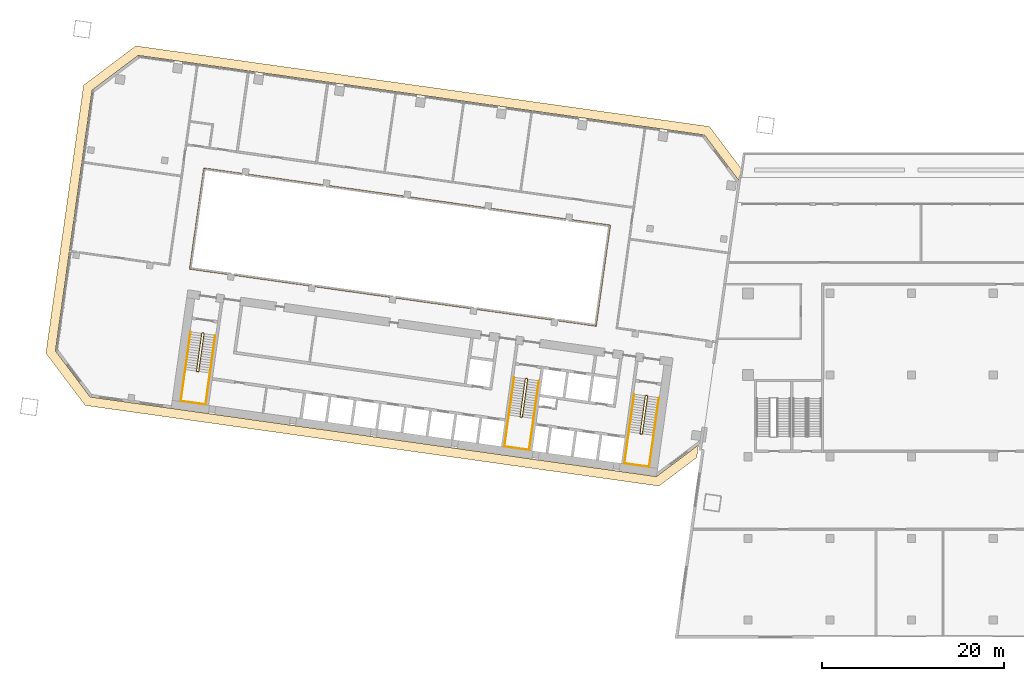
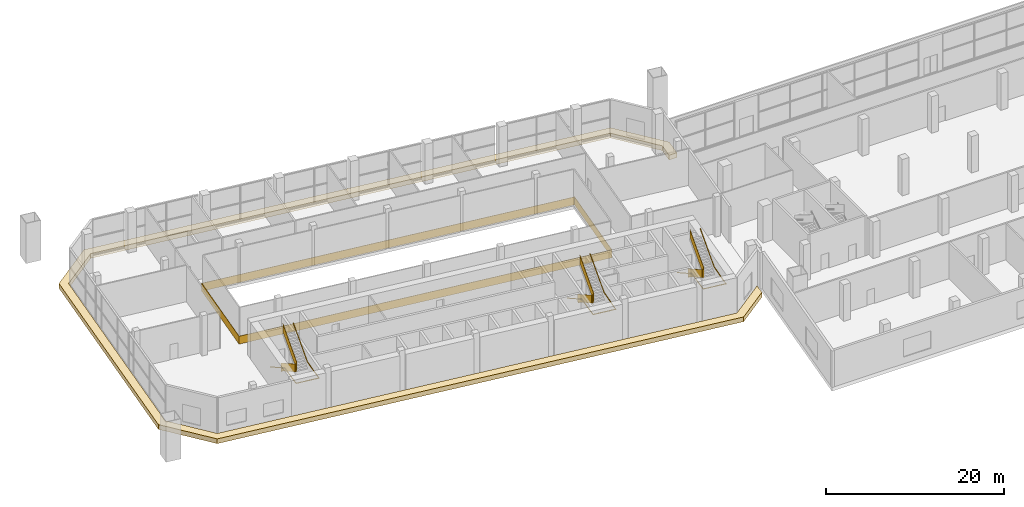
# One storey, part 20 of 23: 7 railings, 1 covering.
"""IFC4 building model written with IfcOpenShell, lengths in metres."""

from ifc_helpers import new_model, si_unit, direction, frame, origin, origin_2d, place, context, subcontext, project, spatial, polyline, rectangle, outline, extrude, material, layer, layer_set, type_object, element, save


model = new_model("IFC4")

# Units and contexts
model_context = context("Model", 3, precision=1e-05, world=origin(), true_north=direction((0.0, 1.0)))
body_context = subcontext(model_context, "Body", "Model", "MODEL_VIEW")
ifc_project = project(units=[si_unit("LENGTHUNIT", "METRE"), si_unit("AREAUNIT", "SQUARE_METRE"), si_unit("VOLUMEUNIT", "CUBIC_METRE"), si_unit("PLANEANGLEUNIT", "RADIAN"), si_unit("MASSUNIT", "GRAM", prefix="KILO")], contexts=[model_context])

# Site, building, storey
site_placement = place(None, origin())
site = spatial("IfcSite", under=ifc_project, at=site_placement, CompositionType="ELEMENT")
building_placement = place(site_placement, origin())
building = spatial("IfcBuilding", under=site, at=building_placement, Name="Mirante Cascada Hotel Towers", CompositionType="ELEMENT")
storey_placement = place(building_placement, frame((0.0, 0.0, 29.0)))
storey = spatial("IfcBuildingStorey", under=building, at=storey_placement, Name="L04", CompositionType="ELEMENT", Elevation=29.0)

# Railing
ifc_material_1 = material(Name="Painted steel", Category="steel")
railing_type_1 = type_object("IfcRailingType", Name="Atrium edge guard 1100 steel balustrade", PredefinedType="GUARDRAIL", material=ifc_material_1)
railing_1_placement = place(storey_placement, frame((-43.7567, -3.601, 0.0)))
element("IfcRailing", 1, at=railing_1_placement, inside=storey, type_object=railing_type_1, Name="Atrium guard T1 L04", PredefinedType="GUARDRAIL", context=body_context, shape_type="SweptSolid", body=[
    extrude(rectangle(XDim=0.048, YDim=0.048, at=origin_2d()), frame((0.0, 0.0, 1.076), z_axis=(-0.9902681, 0.1391726, 0.0), x_axis=(-0.1391726, -0.9902681, 0.0)), (0.0, 0.0, 1.0), 45.2),
    extrude(rectangle(XDim=0.02, YDim=1.052, at=origin_2d()), frame((0.0, 0.0, 0.526), z_axis=(-0.9902681, 0.1391726, 0.0), x_axis=(-0.1391726, -0.9902681, 0.0)), (0.0, 0.0, 1.0), 45.2),
    extrude(rectangle(XDim=0.048, YDim=0.048, at=origin_2d()), frame((-44.7601, 6.2906, 1.076), z_axis=(0.1391697, 0.9902685, 0.0), x_axis=(-0.9902685, 0.1391697, 0.0)), (0.0, 0.0, 1.0), 11.2),
    extrude(rectangle(XDim=0.02, YDim=1.052, at=origin_2d()), frame((-44.7601, 6.2906, 0.526), z_axis=(0.1391697, 0.9902685, 0.0), x_axis=(-0.9902685, 0.1391697, 0.0)), (0.0, 0.0, 1.0), 11.2),
    extrude(rectangle(XDim=0.048, YDim=0.048, at=origin_2d()), frame((-43.2014, 17.3816, 1.076), z_axis=(0.9902681, -0.1391726, 0.0), x_axis=(0.1391726, 0.9902681, 0.0)), (0.0, 0.0, 1.0), 45.2),
    extrude(rectangle(XDim=0.02, YDim=1.052, at=origin_2d()), frame((-43.2014, 17.3816, 0.526), z_axis=(0.9902681, -0.1391726, 0.0), x_axis=(0.1391726, 0.9902681, 0.0)), (0.0, 0.0, 1.0), 45.2),
    extrude(rectangle(XDim=0.048, YDim=0.048, at=origin_2d()), frame((1.5587, 11.091, 1.076), z_axis=(-0.1391697, -0.9902685, 0.0), x_axis=(0.9902685, -0.1391697, 0.0)), (0.0, 0.0, 1.0), 11.2),
    extrude(rectangle(XDim=0.02, YDim=1.052, at=origin_2d()), frame((1.5587, 11.091, 0.526), z_axis=(-0.1391697, -0.9902685, 0.0), x_axis=(0.9902685, -0.1391697, 0.0)), (0.0, 0.0, 1.0), 11.2),
])

# Covering
ifc_material_2 = material(Name="Precast concrete C40/50 white", Category="concrete")
ifc_layer = layer(ifc_material_2, 0.6)
ifc_layer_set = layer_set([ifc_layer], Name="Precast concrete SUNSHADE band 1000x600")
covering_type = type_object("IfcCoveringType", Name="Precast concrete SUNSHADE band 1000x600", PredefinedType="CLADDING", material=ifc_layer_set)
covering_placement = place(storey_placement, frame((0.0, 0.0, -0.5)))
element("IfcCovering", 2, at=covering_placement, inside=storey, type_object=covering_type, Name="Precast concrete SUNSHADE band T1 L04", PredefinedType="CLADDING", context=body_context, shape_type="SweptSolid", body=[
    extrude(outline(polyline([(-100.2139, 22.9287), (-94.4698, 27.2572), (-31.2626, 18.374), (-26.9341, 12.6299), (-27.2475, 10.4), (-28.2573, 10.4), (-27.982, 12.3589), (-31.8119, 17.4414), (-94.1988, 26.2093), (-99.2813, 22.3794), (-103.3173, -6.3384), (-99.4874, -11.4209), (-37.1005, -20.1888), (-32.4698, -16.6993), (-32.6666, -18.0998), (-36.8295, -21.2367), (-100.0367, -12.3535), (-104.3652, -6.6094), (-100.2139, 22.9287)])), origin(), (0.0, 0.0, 1.0), 0.65),
])

# Railings
ifc_material_3 = material(Name="Painted steel", Category="steel")
railing_type_2 = type_object("IfcRailingType", Name="Stair guard 1100 steel balustrade", PredefinedType="GUARDRAIL", material=ifc_material_3)
railing_2_placement = place(storey_placement, frame((-38.1178, -11.2603, 0.0)))
element("IfcRailing", 3, at=railing_2_placement, inside=storey, type_object=railing_type_2, Name="L04 ST1-A stair guard 1", PredefinedType="GUARDRAIL", context=body_context, shape_type="SweptSolid", body=[
    extrude(rectangle(XDim=0.048, YDim=0.048, at=origin_2d()), frame((0.0, 0.0, 1.076), z_axis=(-0.9903326, 0.1387133, 0.0), x_axis=(-0.1387133, -0.9903326, 0.0)), (0.0, 0.0, 1.0), 0.1499),
    extrude(rectangle(XDim=0.02, YDim=1.052, at=origin_2d()), frame((0.0, 0.0, 0.526), z_axis=(-0.9903326, 0.1387133, 0.0), x_axis=(-0.1387133, -0.9903326, 0.0)), (0.0, 0.0, 1.0), 0.1499),
    extrude(rectangle(XDim=0.048, YDim=0.048, at=origin_2d()), frame((-0.1485, 0.0208, 1.076), z_axis=(-0.7991505, -0.6011309, 0.0), x_axis=(0.6011309, -0.7991505, 0.0)), (0.0, 0.9248339, 0.3803713), 0.1859),
    extrude(rectangle(XDim=0.02, YDim=1.052, at=origin_2d()), frame((-0.1485, 0.0208, 0.526), z_axis=(-0.7991505, -0.6011309, 0.0), x_axis=(0.6011309, -0.7991505, 0.0)), (0.0, 0.9248339, 0.3803713), 0.1859),
    extrude(rectangle(XDim=0.048, YDim=0.048, at=origin_2d()), frame((-0.205, -0.0217, 1.2479), z_axis=(-0.1391676, -0.9902688, 0.0), x_axis=(0.9902688, -0.1391676, 0.0)), (0.0, 0.5231408, 0.8522463), 4.9281),
    extrude(rectangle(XDim=0.02, YDim=1.052, at=origin_2d()), frame((-0.205, -0.0217, 0.6979), z_axis=(-0.1391676, -0.9902688, 0.0), x_axis=(0.9902688, -0.1391676, 0.0)), (0.0, 0.5231408, 0.8522463), 4.9281),
    extrude(rectangle(XDim=0.048, YDim=0.048, at=origin_2d()), frame((-0.7895, -4.1808, 3.826), z_axis=(0.9268624, -0.3754011, 0.0), x_axis=(0.3754011, 0.9268624, 0.0)), (0.0, 0.0, 1.0), 0.2062),
    extrude(rectangle(XDim=0.02, YDim=1.052, at=origin_2d()), frame((-0.7895, -4.1808, 3.276), z_axis=(0.9268624, -0.3754011, 0.0), x_axis=(0.3754011, 0.9268624, 0.0)), (0.0, 0.0, 1.0), 0.2062),
    extrude(rectangle(XDim=0.048, YDim=0.048, at=origin_2d()), frame((-0.5984, -4.2582, 3.826), z_axis=(-0.9902537, 0.1392753, 0.0), x_axis=(-0.1392753, -0.9902537, 0.0)), (0.0, 0.0, 1.0), 0.1501),
    extrude(rectangle(XDim=0.02, YDim=1.052, at=origin_2d()), frame((-0.5984, -4.2582, 3.276), z_axis=(-0.9902537, 0.1392753, 0.0), x_axis=(-0.1392753, -0.9902537, 0.0)), (0.0, 0.0, 1.0), 0.1501),
    extrude(rectangle(XDim=0.048, YDim=0.048, at=origin_2d()), frame((-0.747, -4.2373, 3.826), z_axis=(0.9944441, 0.1052656, 0.0), x_axis=(-0.1052656, 0.9944441, 0.0)), (0.0, 0.6404311, 0.7680156), 0.2684),
    extrude(rectangle(XDim=0.02, YDim=1.052, at=origin_2d()), frame((-0.747, -4.2373, 3.276), z_axis=(0.9944441, 0.1052656, 0.0), x_axis=(-0.1052656, 0.9944441, 0.0)), (0.0, 0.6404311, 0.7680156), 0.2684),
    extrude(rectangle(XDim=0.048, YDim=0.048, at=origin_2d()), frame((-0.542, -4.2156, 3.9979), z_axis=(0.139191, 0.9902656, 0.0), x_axis=(-0.9902656, 0.139191, 0.0)), (0.0, 0.5231396, 0.852247), 4.9281),
    extrude(rectangle(XDim=0.02, YDim=1.052, at=origin_2d()), frame((-0.542, -4.2156, 3.4479), z_axis=(0.139191, 0.9902656, 0.0), x_axis=(-0.9902656, 0.139191, 0.0)), (0.0, 0.5231396, 0.852247), 4.9281),
])
railing_3_placement = place(storey_placement, frame((-51.3379, -9.4024, 0.0)))
element("IfcRailing", 4, at=railing_3_placement, inside=storey, type_object=railing_type_2, Name="L04 ST1-B stair guard 1", PredefinedType="GUARDRAIL", context=body_context, shape_type="SweptSolid", body=[
    extrude(rectangle(XDim=0.048, YDim=0.048, at=origin_2d()), frame((0.0, 0.0, 1.076), z_axis=(-0.9902408, 0.1393672, 0.0), x_axis=(-0.1393672, -0.9902408, 0.0)), (0.0, 0.0, 1.0), 0.15),
    extrude(rectangle(XDim=0.02, YDim=1.052, at=origin_2d()), frame((0.0, 0.0, 0.526), z_axis=(-0.9902408, 0.1393672, 0.0), x_axis=(-0.1393672, -0.9902408, 0.0)), (0.0, 0.0, 1.0), 0.15),
    extrude(rectangle(XDim=0.048, YDim=0.048, at=origin_2d()), frame((-0.1485, 0.0209, 1.076), z_axis=(-0.7984711, -0.6020331, 0.0), x_axis=(0.6020331, -0.7984711, 0.0)), (0.0, 0.92472, 0.380648), 0.1859),
    extrude(rectangle(XDim=0.02, YDim=1.052, at=origin_2d()), frame((-0.1485, 0.0209, 0.526), z_axis=(-0.7984711, -0.6020331, 0.0), x_axis=(0.6020331, -0.7984711, 0.0)), (0.0, 0.92472, 0.380648), 0.1859),
    extrude(rectangle(XDim=0.048, YDim=0.048, at=origin_2d()), frame((-0.205, -0.0217, 1.2479), z_axis=(-0.1391676, -0.9902688, 0.0), x_axis=(0.9902688, -0.1391676, 0.0)), (0.0, 0.5231408, 0.8522463), 4.9281),
    extrude(rectangle(XDim=0.02, YDim=1.052, at=origin_2d()), frame((-0.205, -0.0217, 0.6979), z_axis=(-0.1391676, -0.9902688, 0.0), x_axis=(0.9902688, -0.1391676, 0.0)), (0.0, 0.5231408, 0.8522463), 4.9281),
    extrude(rectangle(XDim=0.048, YDim=0.048, at=origin_2d()), frame((-0.7895, -4.1808, 3.826), z_axis=(0.9270311, -0.3749843, 0.0), x_axis=(0.3749843, 0.9270311, 0.0)), (0.0, 0.0, 1.0), 0.2061),
    extrude(rectangle(XDim=0.02, YDim=1.052, at=origin_2d()), frame((-0.7895, -4.1808, 3.276), z_axis=(0.9270311, -0.3749843, 0.0), x_axis=(0.3749843, 0.9270311, 0.0)), (0.0, 0.0, 1.0), 0.2061),
    extrude(rectangle(XDim=0.048, YDim=0.048, at=origin_2d()), frame((-0.5984, -4.2581, 3.826), z_axis=(-0.9903454, 0.1386217, 0.0), x_axis=(-0.1386217, -0.9903454, 0.0)), (0.0, 0.0, 1.0), 0.15),
    extrude(rectangle(XDim=0.02, YDim=1.052, at=origin_2d()), frame((-0.5984, -4.2581, 3.276), z_axis=(-0.9903454, 0.1386217, 0.0), x_axis=(-0.1386217, -0.9903454, 0.0)), (0.0, 0.0, 1.0), 0.15),
    extrude(rectangle(XDim=0.048, YDim=0.048, at=origin_2d()), frame((-0.747, -4.2373, 3.826), z_axis=(0.9944495, 0.1052148, 0.0), x_axis=(-0.1052148, 0.9944495, 0.0)), (0.0, 0.640249, 0.7681675), 0.2685),
    extrude(rectangle(XDim=0.02, YDim=1.052, at=origin_2d()), frame((-0.747, -4.2373, 3.276), z_axis=(0.9944495, 0.1052148, 0.0), x_axis=(-0.1052148, 0.9944495, 0.0)), (0.0, 0.640249, 0.7681675), 0.2685),
    extrude(rectangle(XDim=0.048, YDim=0.048, at=origin_2d()), frame((-0.5419, -4.2156, 3.9979), z_axis=(0.1391676, 0.9902688, 0.0), x_axis=(-0.9902688, 0.1391676, 0.0)), (0.0, 0.5231408, 0.8522463), 4.9281),
    extrude(rectangle(XDim=0.02, YDim=1.052, at=origin_2d()), frame((-0.5419, -4.2156, 3.4479), z_axis=(0.1391676, 0.9902688, 0.0), x_axis=(-0.9902688, 0.1391676, 0.0)), (0.0, 0.5231408, 0.8522463), 4.9281),
])
railing_4_placement = place(storey_placement, frame((-86.9875, -4.3922, 0.0)))
element("IfcRailing", 5, at=railing_4_placement, inside=storey, type_object=railing_type_2, Name="L04 ST1-C stair guard 1", PredefinedType="GUARDRAIL", context=body_context, shape_type="SweptSolid", body=[
    extrude(rectangle(XDim=0.048, YDim=0.048, at=origin_2d()), frame((0.0, 0.0, 1.076), z_axis=(-0.9902537, 0.1392753, 0.0), x_axis=(-0.1392753, -0.9902537, 0.0)), (0.0, 0.0, 1.0), 0.1501),
    extrude(rectangle(XDim=0.02, YDim=1.052, at=origin_2d()), frame((0.0, 0.0, 0.526), z_axis=(-0.9902537, 0.1392753, 0.0), x_axis=(-0.1392753, -0.9902537, 0.0)), (0.0, 0.0, 1.0), 0.1501),
    extrude(rectangle(XDim=0.048, YDim=0.048, at=origin_2d()), frame((-0.1486, 0.0209, 1.076), z_axis=(-0.7986386, -0.601811, 0.0), x_axis=(0.601811, -0.7986386, 0.0)), (0.0, 0.924985, 0.3800036), 0.1858),
    extrude(rectangle(XDim=0.02, YDim=1.052, at=origin_2d()), frame((-0.1486, 0.0209, 0.526), z_axis=(-0.7986386, -0.601811, 0.0), x_axis=(0.601811, -0.7986386, 0.0)), (0.0, 0.924985, 0.3800036), 0.1858),
    extrude(rectangle(XDim=0.048, YDim=0.048, at=origin_2d()), frame((-0.205, -0.0216, 1.2479), z_axis=(-0.1391877, -0.990266, 0.0), x_axis=(0.990266, -0.1391877, 0.0)), (0.0, 0.5231306, 0.8522525), 4.9282),
    extrude(rectangle(XDim=0.02, YDim=1.052, at=origin_2d()), frame((-0.205, -0.0216, 0.6979), z_axis=(-0.1391877, -0.990266, 0.0), x_axis=(0.990266, -0.1391877, 0.0)), (0.0, 0.5231306, 0.8522525), 4.9282),
    extrude(rectangle(XDim=0.048, YDim=0.048, at=origin_2d()), frame((-0.7896, -4.1808, 3.826), z_axis=(0.9270311, -0.3749843, 0.0), x_axis=(0.3749843, 0.9270311, 0.0)), (0.0, 0.0, 1.0), 0.2061),
    extrude(rectangle(XDim=0.02, YDim=1.052, at=origin_2d()), frame((-0.7896, -4.1808, 3.276), z_axis=(0.9270311, -0.3749843, 0.0), x_axis=(0.3749843, 0.9270311, 0.0)), (0.0, 0.0, 1.0), 0.2061),
    extrude(rectangle(XDim=0.048, YDim=0.048, at=origin_2d()), frame((-0.5985, -4.2581, 3.826), z_axis=(-0.9902408, 0.1393672, 0.0), x_axis=(-0.1393672, -0.9902408, 0.0)), (0.0, 0.0, 1.0), 0.15),
    extrude(rectangle(XDim=0.02, YDim=1.052, at=origin_2d()), frame((-0.5985, -4.2581, 3.276), z_axis=(-0.9902408, 0.1393672, 0.0), x_axis=(-0.1393672, -0.9902408, 0.0)), (0.0, 0.0, 1.0), 0.15),
    extrude(rectangle(XDim=0.048, YDim=0.048, at=origin_2d()), frame((-0.747, -4.2372, 3.826), z_axis=(0.9944441, 0.1052656, 0.0), x_axis=(-0.1052656, 0.9944441, 0.0)), (0.0, 0.6404311, 0.7680156), 0.2684),
    extrude(rectangle(XDim=0.02, YDim=1.052, at=origin_2d()), frame((-0.747, -4.2372, 3.276), z_axis=(0.9944441, 0.1052656, 0.0), x_axis=(-0.1052656, 0.9944441, 0.0)), (0.0, 0.6404311, 0.7680156), 0.2684),
    extrude(rectangle(XDim=0.048, YDim=0.048, at=origin_2d()), frame((-0.542, -4.2155, 3.9979), z_axis=(0.1391676, 0.9902688, 0.0), x_axis=(-0.9902688, 0.1391676, 0.0)), (0.0, 0.5231408, 0.8522463), 4.9281),
    extrude(rectangle(XDim=0.02, YDim=1.052, at=origin_2d()), frame((-0.542, -4.2155, 3.4479), z_axis=(0.1391676, 0.9902688, 0.0), x_axis=(-0.9902688, 0.1391676, 0.0)), (0.0, 0.5231408, 0.8522463), 4.9281),
])
ifc_material_4 = material(Name="Painted steel", Category="steel")
railing_type_3 = type_object("IfcRailingType", Name="Stair handrail 900 steel tube", PredefinedType="HANDRAIL", material=ifc_material_4)
railing_5_placement = place(storey_placement, frame((-39.5606, -11.1081, 0.1719)))
element("IfcRailing", 6, at=railing_5_placement, inside=storey, type_object=railing_type_3, Name="L04 ST1-A stair handrail 1", PredefinedType="HANDRAIL", context=body_context, shape_type="SweptSolid", body=[
    extrude(rectangle(XDim=0.048, YDim=0.048, at=origin_2d()), frame((0.0, 0.0, 0.876), z_axis=(-0.139191, -0.9902656, 0.0), x_axis=(0.9902656, -0.139191, 0.0)), (0.0, 0.5231396, 0.852247), 4.9281),
    extrude(rectangle(XDim=0.048, YDim=0.048, at=origin_2d()), frame((-0.5845, -4.1581, 3.4541), z_axis=(-0.139173, -0.9902681, 0.0), x_axis=(0.9902681, -0.139173, 0.0)), (0.0, 0.0490557, 0.998796), 3.5052),
    extrude(rectangle(XDim=0.048, YDim=0.048, at=origin_2d()), frame((-1.0717, -7.625, 3.626), z_axis=(0.9902698, -0.1391607, 0.0), x_axis=(0.1391607, 0.9902698, 0.0)), (0.0, 0.0, 1.0), 2.7501),
    extrude(rectangle(XDim=0.048, YDim=0.048, at=origin_2d()), frame((1.6516, -8.0077, 3.626), z_axis=(0.139173, 0.9902681, 0.0), x_axis=(-0.9902681, 0.139173, 0.0)), (0.0, 0.0, 1.0), 3.5),
    extrude(rectangle(XDim=0.048, YDim=0.048, at=origin_2d()), frame((2.1386, -4.5426, 3.6255), z_axis=(0.1391676, 0.9902688, 0.0), x_axis=(-0.9902688, 0.1391676, 0.0)), (0.0, 0.5231408, 0.8522463), 4.9291),
])
railing_6_placement = place(storey_placement, frame((-52.7807, -9.2501, 0.1719)))
element("IfcRailing", 7, at=railing_6_placement, inside=storey, type_object=railing_type_3, Name="L04 ST1-B stair handrail 1", PredefinedType="HANDRAIL", context=body_context, shape_type="SweptSolid", body=[
    extrude(rectangle(XDim=0.048, YDim=0.048, at=origin_2d()), frame((0.0, 0.0, 0.876), z_axis=(-0.1391676, -0.9902688, 0.0), x_axis=(0.9902688, -0.1391676, 0.0)), (0.0, 0.5231408, 0.8522463), 4.9281),
    extrude(rectangle(XDim=0.048, YDim=0.048, at=origin_2d()), frame((-0.5844, -4.1581, 3.4541), z_axis=(-0.139197, -0.9902647, 0.0), x_axis=(0.9902647, -0.139197, 0.0)), (0.0, 0.0490541, 0.9987961), 3.5053),
    extrude(rectangle(XDim=0.048, YDim=0.048, at=origin_2d()), frame((-1.0717, -7.6251, 3.626), z_axis=(0.9902698, -0.1391607, 0.0), x_axis=(0.1391607, 0.9902698, 0.0)), (0.0, 0.0, 1.0), 2.7501),
    extrude(rectangle(XDim=0.048, YDim=0.048, at=origin_2d()), frame((1.6516, -8.0078, 3.626), z_axis=(0.139169, 0.9902686, 0.0), x_axis=(-0.9902686, 0.139169, 0.0)), (0.0, 0.0, 1.0), 3.5001),
    extrude(rectangle(XDim=0.048, YDim=0.048, at=origin_2d()), frame((2.1386, -4.5426, 3.6255), z_axis=(0.1391676, 0.9902688, 0.0), x_axis=(-0.9902688, 0.1391676, 0.0)), (0.0, 0.5231408, 0.8522463), 4.9291),
])
railing_7_placement = place(storey_placement, frame((-88.4304, -4.2399, 0.1719)))
element("IfcRailing", 8, at=railing_7_placement, inside=storey, type_object=railing_type_3, Name="L04 ST1-C stair handrail 1", PredefinedType="HANDRAIL", context=body_context, shape_type="SweptSolid", body=[
    extrude(rectangle(XDim=0.048, YDim=0.048, at=origin_2d()), frame((0.0, 0.0, 0.876), z_axis=(-0.1391676, -0.9902688, 0.0), x_axis=(0.9902688, -0.1391676, 0.0)), (0.0, 0.5231408, 0.8522463), 4.9281),
    extrude(rectangle(XDim=0.048, YDim=0.048, at=origin_2d()), frame((-0.5844, -4.1581, 3.4541), z_axis=(-0.139173, -0.9902681, 0.0), x_axis=(0.9902681, -0.139173, 0.0)), (0.0, 0.0490557, 0.998796), 3.5052),
    extrude(rectangle(XDim=0.048, YDim=0.048, at=origin_2d()), frame((-1.0716, -7.625, 3.626), z_axis=(0.9902641, -0.1392013, 0.0), x_axis=(0.1392013, 0.9902641, 0.0)), (0.0, 0.0, 1.0), 2.75),
    extrude(rectangle(XDim=0.048, YDim=0.048, at=origin_2d()), frame((1.6516, -8.0078, 3.626), z_axis=(0.139169, 0.9902686, 0.0), x_axis=(-0.9902686, 0.139169, 0.0)), (0.0, 0.0, 1.0), 3.5001),
    extrude(rectangle(XDim=0.048, YDim=0.048, at=origin_2d()), frame((2.1386, -4.5426, 3.6255), z_axis=(0.139191, 0.9902656, 0.0), x_axis=(-0.9902656, 0.139191, 0.0)), (0.0, 0.5231396, 0.852247), 4.9291),
])

save(model, "model.ifc")
